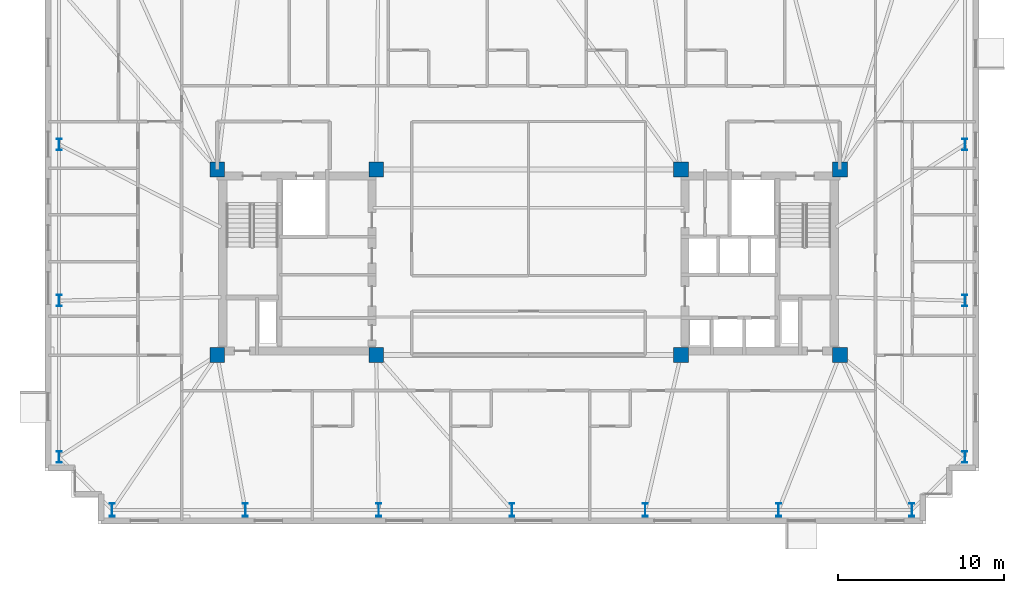
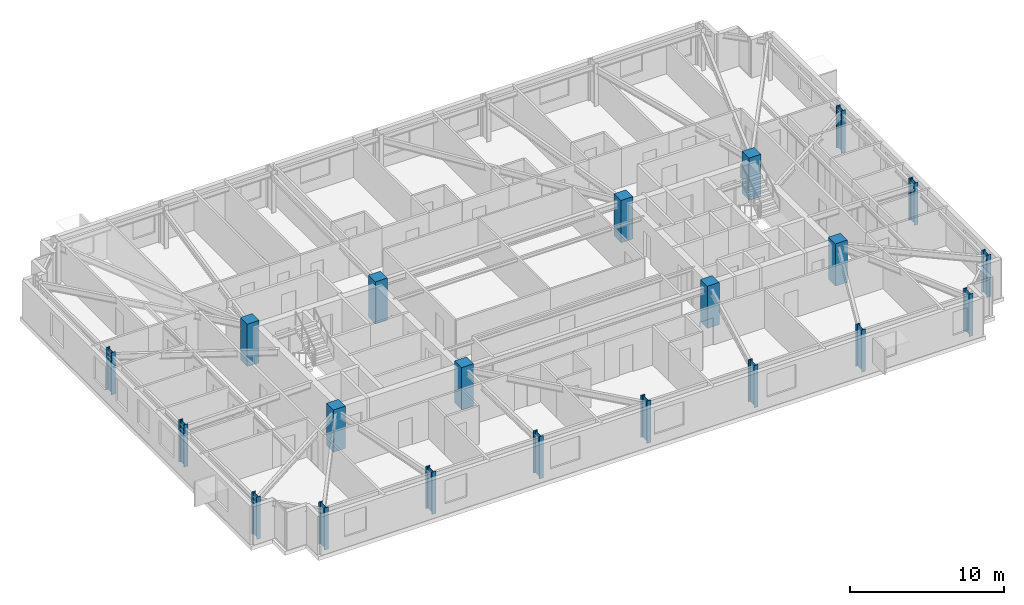
# One storey, part 1 of 19: 21 columns.
"""IFC4 building model written with IfcOpenShell, lengths in metres."""

from ifc_helpers import new_model, si_unit, direction, frame, origin, origin_2d, place, context, subcontext, project, spatial, rectangle, i_section, extrude, material, material_profile, profile_set, type_object, element, save


model = new_model("IFC4")

# Units and contexts
model_context = context("Model", 3, precision=1e-05, world=origin(), true_north=direction((0.0, 1.0)))
body_context = subcontext(model_context, "Body", "Model", "MODEL_VIEW")
ifc_project = project(units=[si_unit("LENGTHUNIT", "METRE"), si_unit("AREAUNIT", "SQUARE_METRE"), si_unit("VOLUMEUNIT", "CUBIC_METRE"), si_unit("PLANEANGLEUNIT", "RADIAN"), si_unit("MASSUNIT", "GRAM", prefix="KILO")], contexts=[model_context])

# Site, building, storey
site_placement = place(None, origin())
site = spatial("IfcSite", under=ifc_project, at=site_placement, CompositionType="ELEMENT")
building_placement = place(site_placement, origin())
building = spatial("IfcBuilding", under=site, at=building_placement, Name="Qobustan Lattice House", CompositionType="ELEMENT")
storey_placement = place(building_placement, frame((0.0, 0.0, 137.699951171875)))
storey = spatial("IfcBuildingStorey", under=building, at=storey_placement, Name="L38", CompositionType="ELEMENT", Elevation=137.699951171875)

# Columns
ifc_material_1 = material(Name="Concrete C50/60", Category="concrete")
ifc_material_profile_1 = material_profile(ifc_material_1, rectangle(XDim=0.89990234375, YDim=0.89990234375, at=origin_2d()), Name="RC900x900")
ifc_profile_set_1 = profile_set([ifc_material_profile_1], Name="Concrete C50/60")
column_type_1 = type_object("IfcColumnType", Name="COL-RC-900", PredefinedType="COLUMN", material=ifc_profile_set_1)
for number, where, z_axis, x_axis, name in (
    (1, (-18.800048828125, -5.60009765625, 0.0), (0.0, 0.0, 1.0), (1.0, 0.0, 0.0), "L38 core mega-column CW-SW"),
    (2, (-18.800048828125, 5.60009765625, 0.0), (0.0, 0.0, 1.0), (1.0, 0.0, 0.0), "L38 core mega-column CW-NW"),
    (3, (-9.199951171875, -5.60009765625, 0.0), (0.0, 0.0, 1.0), (1.0, 0.0, 0.0), "L38 core mega-column CW-SE"),
    (4, (-9.199951171875, 5.60009765625, 0.0), (0.0, 0.0, 1.0), (1.0, 0.0, 0.0), "L38 core mega-column CW-NE"),
    (5, (9.199951171875, -5.60009765625, 0.0), (0.0, 0.0, 1.0), (1.0, 0.0, 0.0), "L38 core mega-column CE-SW"),
    (6, (9.199951171875, 5.60009765625, 0.0), (0.0, 0.0, 1.0), (1.0, 0.0, 0.0), "L38 core mega-column CE-NW"),
    (7, (18.800048828125, -5.60009765625, 0.0), (0.0, 0.0, 1.0), (1.0, 0.0, 0.0), "L38 core mega-column CE-SE"),
    (8, (18.800048828125, 5.60009765625, 0.0), (0.0, 0.0, 1.0), (1.0, 0.0, 0.0), "L38 core mega-column CE-NE"),
):
    element("IfcColumn", number, at=place(storey_placement, frame(where, z_axis=z_axis, x_axis=x_axis)), inside=storey, type_object=column_type_1, Name=name, PredefinedType="COLUMN", context=body_context, shape_type="SweptSolid", body=[
        extrude(rectangle(XDim=0.89990234375, YDim=0.89990234375, at=origin_2d()), origin(), (0.0, 0.0, 1.0), 3.35009765625),
    ])
ifc_material_2 = material(Name="Steel S355", Category="steel")
ifc_material_profile_2 = material_profile(ifc_material_2, i_section(OverallWidth=0.300048828125, OverallDepth=0.699951171875, WebThickness=0.01708984375, FlangeThickness=0.031982421875, FilletRadius=0.027099609375, at=origin_2d()), Name="HEB700")
ifc_profile_set_2 = profile_set([ifc_material_profile_2], Name="Steel S355")
column_type_2 = type_object("IfcColumnType", Name="COL-ST-HEB700", PredefinedType="COLUMN", material=ifc_profile_set_2)
for number, where, z_axis, x_axis, name in (
    (9, (26.35009765625, -11.75, 0.0), (0.0, 0.0, 1.0), (1.0, 0.0, 0.0), "L38 B3 perimeter column E1"),
    (10, (26.35009765625, -2.316650390625, 0.0), (0.0, 0.0, 1.0), (1.0, 0.0, 0.0), "L38 B3 perimeter column E2"),
    (11, (26.35009765625, 7.11669921875, 0.0), (0.0, 0.0, 1.0), (1.0, 0.0, 0.0), "L38 B3 perimeter column E3"),
    (12, (-28.35009765625, 7.11669921875, 0.0), (0.0, 0.0, 1.0), (1.0, 0.0, 0.0), "L38 B3 perimeter column W2"),
    (13, (-28.35009765625, -2.316650390625, 0.0), (0.0, 0.0, 1.0), (1.0, 0.0, 0.0), "L38 B3 perimeter column W3"),
    (14, (-28.35009765625, -11.75, 0.0), (0.0, 0.0, 1.0), (1.0, 0.0, 0.0), "L38 B3 perimeter column W4"),
):
    element("IfcColumn", number, at=place(storey_placement, frame(where, z_axis=z_axis, x_axis=x_axis)), inside=storey, type_object=column_type_2, Name=name, PredefinedType="COLUMN", context=body_context, shape_type="SweptSolid", body=[
        extrude(i_section(OverallWidth=0.300048828125, OverallDepth=0.699951171875, WebThickness=0.01708984375, FlangeThickness=0.031982421875, FilletRadius=0.027099609375, at=origin_2d()), origin(), (0.0, 0.0, 1.0), 3.35009765625),
    ])
ifc_material_3 = material(Name="Steel S355", Category="steel")
ifc_material_profile_3 = material_profile(ifc_material_3, i_section(OverallWidth=0.300048828125, OverallDepth=0.800048828125, WebThickness=0.017578125, FlangeThickness=0.032958984375, FilletRadius=0.030029296875, at=origin_2d()), Name="HEB800")
ifc_profile_set_3 = profile_set([ifc_material_profile_3], Name="Steel S355")
column_type_3 = type_object("IfcColumnType", Name="COL-ST-HEB800", PredefinedType="COLUMN", material=ifc_profile_set_3)
for number, where, z_axis, x_axis, name in (
    (15, (-25.14990234375, -14.949951171875, 0.0), (0.0, 0.0, 1.0), (1.0, 0.0, 0.0), "L38 B3 perimeter column S1"),
    (16, (-17.10009765625, -14.949951171875, 0.0), (0.0, 0.0, 1.0), (1.0, 0.0, 0.0), "L38 B3 perimeter column S2"),
    (17, (-9.050048828125, -14.949951171875, 0.0), (0.0, 0.0, 1.0), (1.0, 0.0, 0.0), "L38 B3 perimeter column S3"),
    (18, (-1.0, -14.949951171875, 0.0), (0.0, 0.0, 1.0), (1.0, 0.0, 0.0), "L38 B3 perimeter column S4"),
    (19, (7.050048828125, -14.949951171875, 0.0), (0.0, 0.0, 1.0), (1.0, 0.0, 0.0), "L38 B3 perimeter column S5"),
    (20, (15.10009765625, -14.949951171875, 0.0), (0.0, 0.0, 1.0), (1.0, 0.0, 0.0), "L38 B3 perimeter column S6"),
    (21, (23.14990234375, -14.949951171875, 0.0), (0.0, 0.0, 1.0), (1.0, 0.0, 0.0), "L38 B3 perimeter column S7"),
):
    element("IfcColumn", number, at=place(storey_placement, frame(where, z_axis=z_axis, x_axis=x_axis)), inside=storey, type_object=column_type_3, Name=name, PredefinedType="COLUMN", context=body_context, shape_type="SweptSolid", body=[
        extrude(i_section(OverallWidth=0.300048828125, OverallDepth=0.800048828125, WebThickness=0.017578125, FlangeThickness=0.032958984375, FilletRadius=0.030029296875, at=origin_2d()), origin(), (0.0, 0.0, 1.0), 3.35009765625),
    ])

save(model, "model.ifc")
